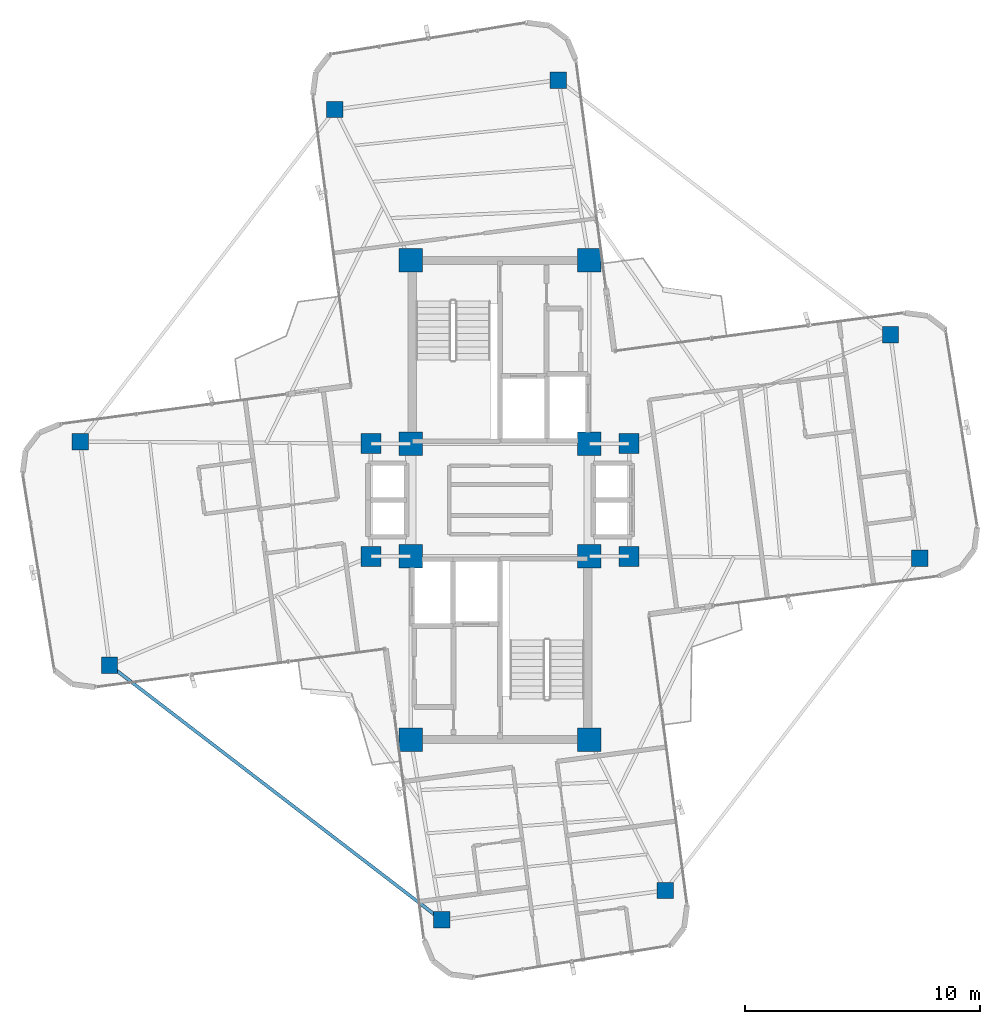
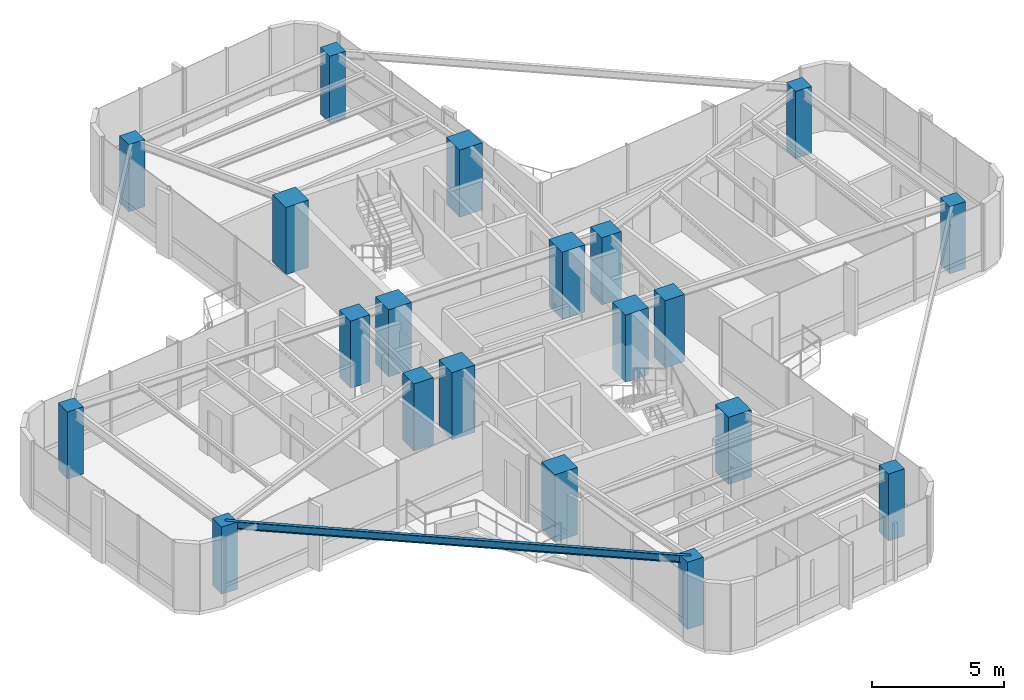
# One storey, part 1 of 21: 20 columns, 1 beam.
"""IFC4 building model written with IfcOpenShell, lengths in metres."""

from ifc_helpers import new_model, si_unit, direction, frame, origin, origin_2d, place, context, subcontext, project, spatial, rectangle, i_section, extrude, source, transform, mapped, material, material_profile, profile_set, type_object, element, save


model = new_model("IFC4")

# Units and contexts
model_context = context("Model", 3, precision=1e-05, world=origin(), true_north=direction((0.0, 1.0)))
body_context = subcontext(model_context, "Body", "Model", "MODEL_VIEW")
ifc_project = project(units=[si_unit("LENGTHUNIT", "METRE"), si_unit("AREAUNIT", "SQUARE_METRE"), si_unit("VOLUMEUNIT", "CUBIC_METRE"), si_unit("PLANEANGLEUNIT", "RADIAN"), si_unit("MASSUNIT", "GRAM", prefix="KILO")], contexts=[model_context])

# Site, building, storey
site_placement = place(None, origin())
site = spatial("IfcSite", under=ifc_project, at=site_placement, CompositionType="ELEMENT")
building_placement = place(site_placement, origin())
building = spatial("IfcBuilding", under=site, at=building_placement, Name="Sahyath Konkavel Grand Hotel", CompositionType="ELEMENT")
storey_placement = place(building_placement, frame((0.0, 0.0, 216.550048828125)))
storey = spatial("IfcBuildingStorey", under=building, at=storey_placement, Name="L60", CompositionType="ELEMENT", Elevation=216.550048828125)

# Columns
ifc_material_1 = material(Name="Concrete C50/60", Category="concrete")
ifc_material_profile_1 = material_profile(ifc_material_1, rectangle(XDim=1.0, YDim=1.0, at=origin_2d()), Name="RC 1000x1000")
ifc_profile_set_1 = profile_set([ifc_material_profile_1], Name="Concrete C50/60")
column_type_1 = type_object("IfcColumnType", Name="COL-RC1000", PredefinedType="COLUMN", material=ifc_profile_set_1)
shared_shape_1 = source(origin(), body_context, "Body", "SweptSolid", [
    extrude(rectangle(XDim=1.0, YDim=1.0, at=origin_2d()), origin(), (0.0, 0.0, 1.0), 3.10986328125),
])
for number, where, z_axis, x_axis, name in (
    (1, (-3.800048828125, 2.39990234375, 0.0), (0.0, 0.0, 1.0), (1.0, 0.0, 0.0), "L60 Core Boundary Column NC-SW"),
    (2, (3.800048828125, 2.39990234375, 0.0), (0.0, 0.0, 1.0), (1.0, 0.0, 0.0), "L60 Core Boundary Column NC-SE"),
    (3, (-3.800048828125, 10.199951171875, 0.0), (0.0, 0.0, 1.0), (1.0, 0.0, 0.0), "L60 Core Boundary Column NC-NW"),
    (4, (3.800048828125, 10.199951171875, 0.0), (0.0, 0.0, 1.0), (1.0, 0.0, 0.0), "L60 Core Boundary Column NC-NE"),
    (5, (-3.800048828125, -2.39990234375, 0.0), (0.0, 0.0, 1.0), (1.0, 0.0, 0.0), "L60 Core Boundary Column SC-NW"),
    (6, (3.800048828125, -2.39990234375, 0.0), (0.0, 0.0, 1.0), (1.0, 0.0, 0.0), "L60 Core Boundary Column SC-NE"),
    (7, (-3.800048828125, -10.199951171875, 0.0), (0.0, 0.0, 1.0), (1.0, 0.0, 0.0), "L60 Core Boundary Column SC-SW"),
    (8, (3.800048828125, -10.199951171875, 0.0), (0.0, 0.0, 1.0), (1.0, 0.0, 0.0), "L60 Core Boundary Column SC-SE"),
):
    element("IfcColumn", number, at=place(storey_placement, frame(where, z_axis=z_axis, x_axis=x_axis)), inside=storey, type_object=column_type_1, Name=name, PredefinedType="COLUMN", context=body_context, shape_type="MappedRepresentation", body=[
        mapped(shared_shape_1, transform((0.0, 0.0, 0.0), scale=1.0)),
    ])
ifc_material_2 = material(Name="Concrete C40/50", Category="concrete")
ifc_material_profile_2 = material_profile(ifc_material_2, rectangle(XDim=0.85009765625, YDim=0.85009765625, at=origin_2d()), Name="RC 850x850")
ifc_profile_set_2 = profile_set([ifc_material_profile_2], Name="Concrete C40/50")
column_type_2 = type_object("IfcColumnType", Name="COL-RC850", PredefinedType="COLUMN", material=ifc_profile_set_2)
shared_shape_2 = source(origin(), body_context, "Body", "SweptSolid", [
    extrude(rectangle(XDim=0.85009765625, YDim=0.85009765625, at=origin_2d()), origin(), (0.0, 0.0, 1.0), 3.10986328125),
])
for number, where, z_axis, x_axis, name in (
    (9, (5.5, 2.39990234375, 0.0), (0.0, 0.0, 1.0), (1.0, 0.0, 0.0), "L60 Central Spine Column HB-NE"),
    (10, (-5.5, 2.39990234375, 0.0), (0.0, 0.0, 1.0), (1.0, 0.0, 0.0), "L60 Central Spine Column HB-NW"),
    (11, (5.5, -2.39990234375, 0.0), (0.0, 0.0, 1.0), (1.0, 0.0, 0.0), "L60 Central Spine Column HB-SE"),
    (12, (-5.5, -2.39990234375, 0.0), (0.0, 0.0, 1.0), (1.0, 0.0, 0.0), "L60 Central Spine Column HB-SW"),
):
    element("IfcColumn", number, at=place(storey_placement, frame(where, z_axis=z_axis, x_axis=x_axis)), inside=storey, type_object=column_type_2, Name=name, PredefinedType="COLUMN", context=body_context, shape_type="MappedRepresentation", body=[
        mapped(shared_shape_2, transform((0.0, 0.0, 0.0), scale=1.0)),
    ])
ifc_material_profile_3 = material_profile(ifc_material_2, rectangle(XDim=0.699951171875, YDim=0.699951171875, at=origin_2d()), Name="RC 700x700")
ifc_profile_set_3 = profile_set([ifc_material_profile_3], Name="Concrete C40/50")
column_type_3 = type_object("IfcColumnType", Name="COL-RC700", PredefinedType="COLUMN", material=ifc_profile_set_3)
shared_shape_3 = source(origin(), body_context, "Body", "SweptSolid", [
    extrude(rectangle(XDim=0.699951171875, YDim=0.699951171875, at=origin_2d()), origin(), (0.0, 0.0, 1.0), 3.10986328125),
])
for number, where, z_axis, x_axis, name in (
    (13, (17.877685546875, -2.48779296875, 0.0), (0.0, 0.0, 1.0), (1.0, 0.0, 0.0), "L60 Cruciform Wing Column WC-EA"),
    (14, (16.62451171875, 7.030029296875, 0.0), (0.0, 0.0, 1.0), (1.0, 0.0, 0.0), "L60 Cruciform Wing Column WC-EB"),
    (15, (2.48779296875, 17.877685546875, 0.0), (0.0, 0.0, 1.0), (1.0, 0.0, 0.0), "L60 Cruciform Wing Column WC-NA"),
    (16, (-7.030029296875, 16.62451171875, 0.0), (0.0, 0.0, 1.0), (1.0, 0.0, 0.0), "L60 Cruciform Wing Column WC-NB"),
    (17, (-17.877685546875, 2.48779296875, 0.0), (0.0, 0.0, 1.0), (1.0, 0.0, 0.0), "L60 Cruciform Wing Column WC-WA"),
    (18, (-16.62451171875, -7.030029296875, 0.0), (0.0, 0.0, 1.0), (1.0, 0.0, 0.0), "L60 Cruciform Wing Column WC-WB"),
    (19, (-2.48779296875, -17.877685546875, 0.0), (0.0, 0.0, 1.0), (1.0, 0.0, 0.0), "L60 Cruciform Wing Column WC-SA"),
    (20, (7.030029296875, -16.62451171875, 0.0), (0.0, 0.0, 1.0), (1.0, 0.0, 0.0), "L60 Cruciform Wing Column WC-SB"),
):
    element("IfcColumn", number, at=place(storey_placement, frame(where, z_axis=z_axis, x_axis=x_axis)), inside=storey, type_object=column_type_3, Name=name, PredefinedType="COLUMN", context=body_context, shape_type="MappedRepresentation", body=[
        mapped(shared_shape_3, transform((0.0, 0.0, 0.0), scale=1.0)),
    ])

# Beam
ifc_material_3 = material(Name="Steel E350", Category="steel")
ifc_material_profile_4 = material_profile(ifc_material_3, i_section(OverallWidth=0.139892578125, OverallDepth=0.35009765625, WebThickness=0.008056640625, FlangeThickness=0.01416015625, FilletRadius=0.013916015625, at=origin_2d()), Name="ISMB 350")
ifc_profile_set_4 = profile_set([ifc_material_profile_4], Name="Steel E350")
beam_type = type_object("IfcBeamType", Name="BM-ISMB350", PredefinedType="BEAM", material=ifc_profile_set_4)
shared_shape_4 = source(origin(), body_context, "Body", "SweptSolid", [
    extrude(i_section(OverallWidth=0.139892578125, OverallDepth=0.35009765625, WebThickness=0.008056640625, FlangeThickness=0.01416015625, FilletRadius=0.013916015625, at=origin_2d()), origin(), (0.0, 0.0, 1.0), 17.819091796875),
])
beam_placement = place(storey_placement, frame((-16.62451171875, -7.030029296875, 2.93505859375), z_axis=(0.793348720932, -0.608767449027, 0.0), x_axis=(0.608767449027, 0.793348720932, 0.0)))
element("IfcBeam", 21, at=beam_placement, inside=storey, type_object=beam_type, Name="L60 Re-Entrant Tie Beam SW", PredefinedType="BEAM", context=body_context, shape_type="MappedRepresentation", body=[
    mapped(shared_shape_4, transform((0.0, 0.0, 0.0), scale=1.0)),
])

save(model, "model.ifc")
